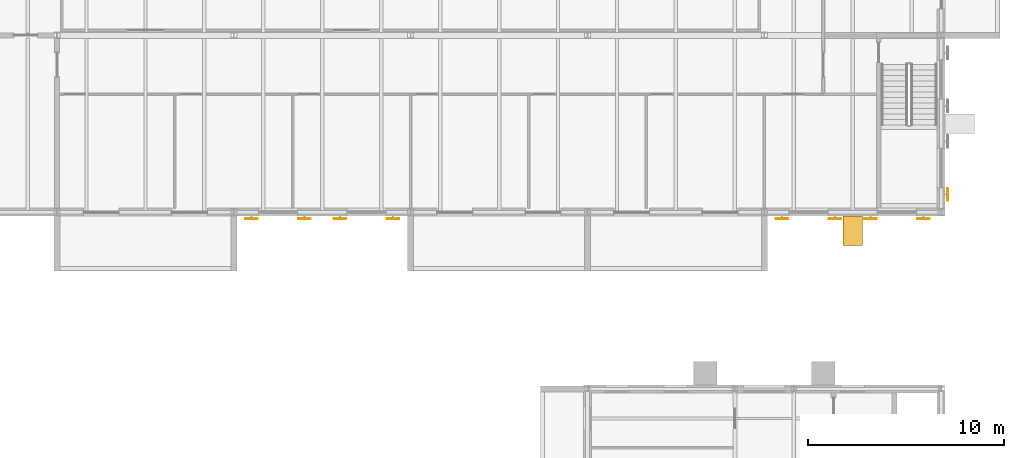
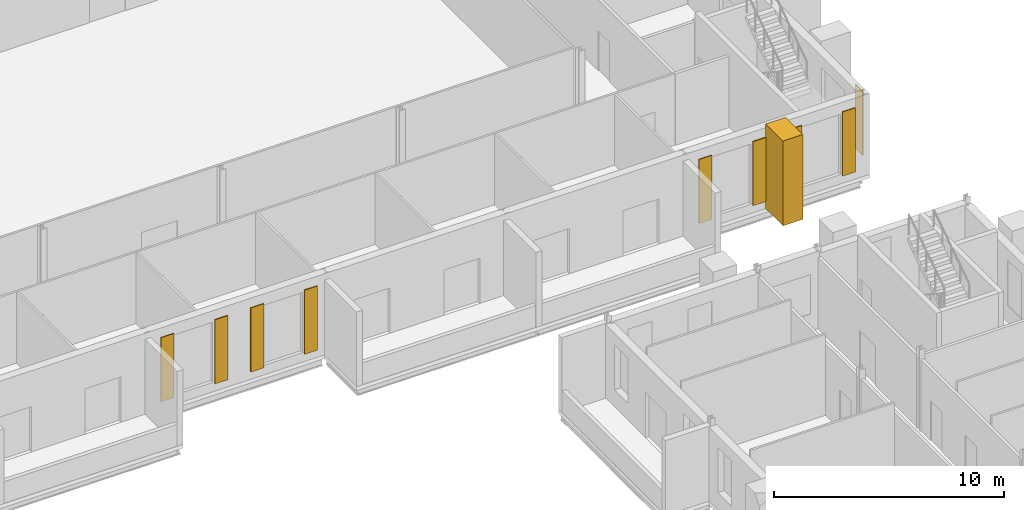
# One storey, part 129 of 134: 9 shading devices, 1 covering.
"""IFC4 building model written with IfcOpenShell, lengths in metres."""

from ifc_helpers import new_model, si_unit, direction, frame, origin, origin_2d, place, context, subcontext, project, spatial, polyline, rectangle, outline, extrude, material, type_object, element, save


model = new_model("IFC4")

# Units and contexts
model_context = context("Model", 3, precision=1e-05, world=origin(), true_north=direction((0.0, 1.0)))
body_context = subcontext(model_context, "Body", "Model", "MODEL_VIEW")
ifc_project = project(units=[si_unit("LENGTHUNIT", "METRE"), si_unit("AREAUNIT", "SQUARE_METRE"), si_unit("VOLUMEUNIT", "CUBIC_METRE"), si_unit("PLANEANGLEUNIT", "RADIAN"), si_unit("MASSUNIT", "GRAM", prefix="KILO")], contexts=[model_context])

# Site, building, storey
site_placement = place(None, origin())
site = spatial("IfcSite", under=ifc_project, at=site_placement, CompositionType="ELEMENT")
building_placement = place(site_placement, origin())
building = spatial("IfcBuilding", under=site, at=building_placement, Name="Golden Quay Civic Hall", CompositionType="ELEMENT")
storey_placement = place(building_placement, frame((0.0, 0.0, 5.39990234375)))
storey = spatial("IfcBuildingStorey", under=building, at=storey_placement, Name="L01", CompositionType="ELEMENT", Elevation=5.39990234375)

# Covering
ifc_material_1 = material(Name="Brick, dark clay facing", Category="masonry")
covering_type = type_object("IfcCoveringType", Name="Brick pier cladding 1000 x 1500", PredefinedType="CLADDING", material=ifc_material_1)
covering_placement = place(storey_placement, origin())
element("IfcCovering", 1, at=covering_placement, inside=storey, type_object=covering_type, Name="Brick pier cladding 1000 x 1500 L01 1", PredefinedType="CLADDING", context=body_context, shape_type="SweptSolid", body=[
    extrude(outline(polyline([(166.0, 62.800048828125), (167.0, 62.800048828125), (167.0, 61.300048828125), (166.0, 61.300048828125), (166.0, 62.800048828125)])), origin(), (0.0, 0.0, 1.0), 4.5),
])

# Shading devices
ifc_material_2 = material(Name="Timber", Category="wood")
shading_device_type = type_object("IfcShadingDeviceType", Name="Timber storm shutter leaf 650 x 3400", PredefinedType="SHUTTER", material=ifc_material_2)
for number, where, z_axis, x_axis, name in (
    (2, (135.89990234375, 62.675048828125, 0.500244140625), (0.0, 0.0, 1.0), (1.0, 0.0, 0.0), "Storm shutter L01-S202a"),
    (3, (138.60009765625, 62.675048828125, 0.500244140625), (0.0, 0.0, 1.0), (1.0, 0.0, 0.0), "Storm shutter L01-S202b"),
    (4, (140.39990234375, 62.675048828125, 0.500244140625), (0.0, 0.0, 1.0), (1.0, 0.0, 0.0), "Storm shutter L01-S247a"),
    (5, (143.10009765625, 62.675048828125, 0.500244140625), (0.0, 0.0, 1.0), (1.0, 0.0, 0.0), "Storm shutter L01-S247b"),
    (6, (162.89990234375, 62.675048828125, 0.500244140625), (0.0, 0.0, 1.0), (1.0, 0.0, 0.0), "Storm shutter L01-S472a"),
    (7, (165.60009765625, 62.675048828125, 0.500244140625), (0.0, 0.0, 1.0), (1.0, 0.0, 0.0), "Storm shutter L01-S472b"),
    (8, (167.39990234375, 62.675048828125, 0.500244140625), (0.0, 0.0, 1.0), (1.0, 0.0, 0.0), "Storm shutter L01-S517a"),
    (9, (170.10009765625, 62.675048828125, 0.500244140625), (0.0, 0.0, 1.0), (1.0, 0.0, 0.0), "Storm shutter L01-S517b"),
):
    element("IfcShadingDevice", number, at=place(storey_placement, frame(where, z_axis=z_axis, x_axis=x_axis)), inside=storey, type_object=shading_device_type, Name=name, PredefinedType="SHUTTER", context=body_context, shape_type="SweptSolid", body=[
        extrude(rectangle(XDim=0.64990234375, YDim=0.050048828125, at=origin_2d()), origin(), (0.0, 0.0, 1.0), 3.39990234375),
    ])
shading_device_placement = place(storey_placement, frame((171.324951171875, 63.89990234375, 0.500244140625), z_axis=(0.0, 0.0, 1.0), x_axis=(1.0, 0.0, 0.0)))
element("IfcShadingDevice", 10, at=shading_device_placement, inside=storey, type_object=shading_device_type, Name="Storm shutter L01-E22a", PredefinedType="SHUTTER", context=body_context, shape_type="SweptSolid", body=[
    extrude(rectangle(XDim=0.050048828125, YDim=0.64990234375, at=origin_2d()), origin(), (0.0, 0.0, 1.0), 3.39990234375),
])

save(model, "model.ifc")
